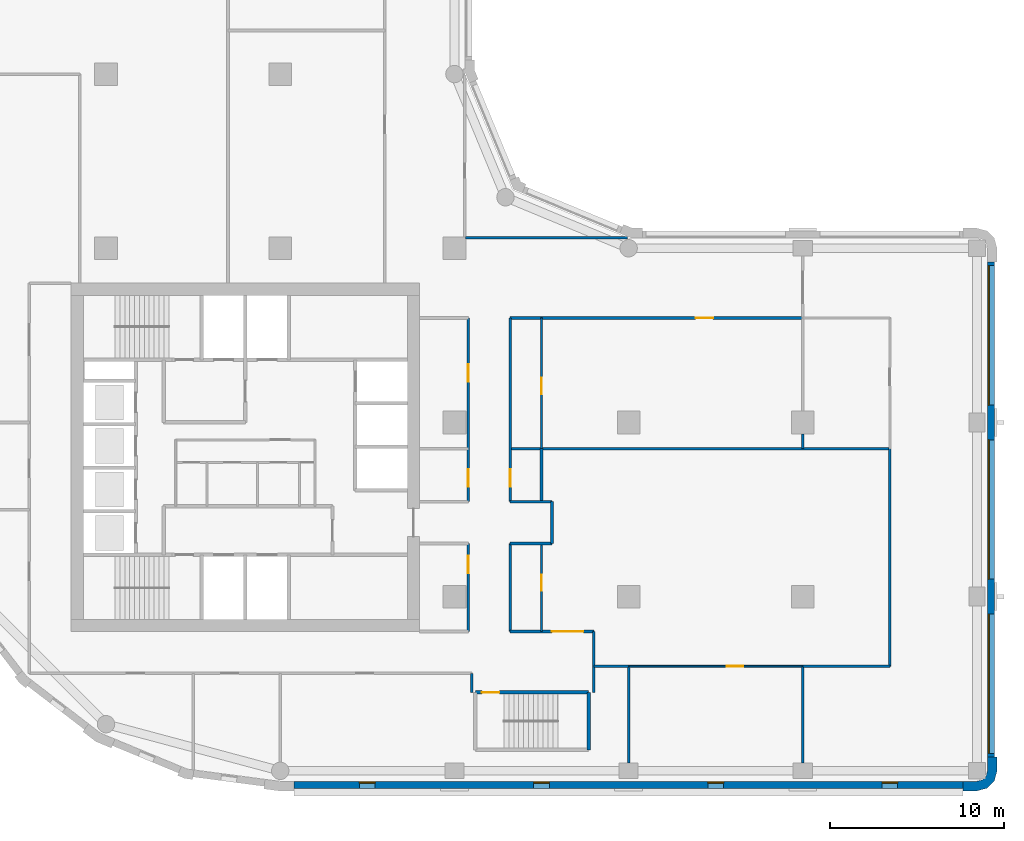
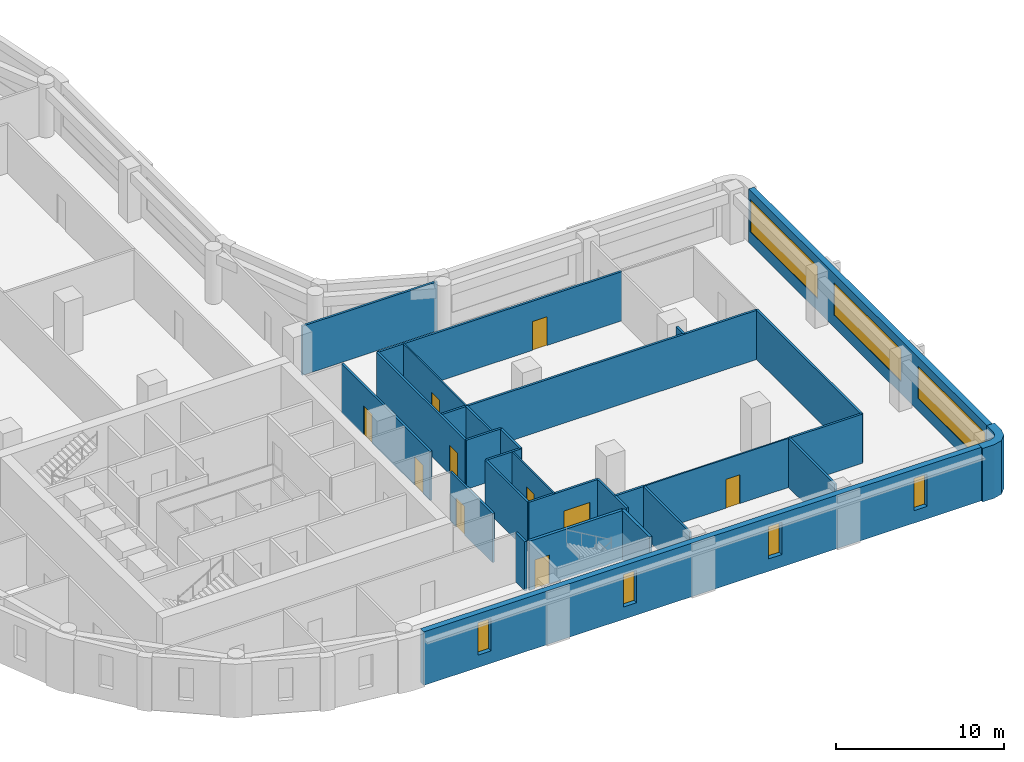
# One storey, part 4 of 9: 28 walls, 10 doors, 7 windows, 17 openings.
"""IFC4 building model written with IfcOpenShell, lengths in metres."""

from ifc_helpers import new_model, si_unit, direction, frame, frame_2d, origin, place, context, subcontext, project, spatial, polyline, rectangle, outline, extrude, material, layer, layer_set, type_object, element, fill, save


model = new_model("IFC4")

# Units and contexts
model_context = context("Model", 3, precision=1e-05, world=origin(), true_north=direction((0.0, 1.0)))
body_context = subcontext(model_context, "Body", "Model", "MODEL_VIEW")
ifc_project = project(units=[si_unit("LENGTHUNIT", "METRE"), si_unit("AREAUNIT", "SQUARE_METRE"), si_unit("VOLUMEUNIT", "CUBIC_METRE"), si_unit("PLANEANGLEUNIT", "RADIAN"), si_unit("MASSUNIT", "GRAM", prefix="KILO")], contexts=[model_context])

# Site, building, storey
site_placement = place(None, origin())
site = spatial("IfcSite", under=ifc_project, at=site_placement, CompositionType="ELEMENT")
building_placement = place(site_placement, origin())
building = spatial("IfcBuilding", under=site, at=building_placement, Name="Qaws Garden Tower", CompositionType="ELEMENT")
storey_placement = place(building_placement, frame((0.0, 0.0, 170.699951171875)))
storey = spatial("IfcBuildingStorey", under=building, at=storey_placement, Name="L41", CompositionType="ELEMENT", Elevation=170.699951171875)

# Wall
ifc_material_1 = material(Name="Clay facing brick masonry", Category="masonry")
ifc_layer_1 = layer(ifc_material_1, 0.550048828125)
ifc_layer_set_1 = layer_set([ifc_layer_1], Name="Clay facing brick masonry")
wall_type_1 = type_object("IfcWallType", Name="Brick corner pier 550 x 2400", PredefinedType="SOLIDWALL", material=ifc_layer_set_1)
wall_1_placement = place(storey_placement, origin())
element("IfcWall", 1, at=wall_1_placement, inside=storey, type_object=wall_type_1, Name="E-L41-pier-04", PredefinedType="SOLIDWALL", context=body_context, shape_type="SweptSolid", body=[
    extrude(outline(polyline([(59.199951171875, -1.0), (59.199951171875, -1.14990234375), (60.0, -1.14990234375), (60.574951171875, -0.995849609375), (60.995849609375, -0.574951171875), (61.14990234375, 0.0), (61.14990234375, 0.800048828125), (61.0, 0.800048828125), (60.60009765625, 0.800048828125), (60.60009765625, 0.0), (60.51953125, -0.300048828125), (60.300048828125, -0.51953125), (60.0, -0.60009765625), (59.199951171875, -0.60009765625), (59.199951171875, -1.0)])), origin(), (0.0, 0.0, 1.0), 3.900146484375),
])

# Wall, openings, windows
ifc_material_2 = material(Name="Clay facing brick masonry", Category="masonry")
ifc_layer_2 = layer(ifc_material_2, 0.39990234375)
ifc_layer_set_2 = layer_set([ifc_layer_2], Name="Clay facing brick masonry")
wall_type_2 = type_object("IfcWallType", Name="Brick infill wall 400", PredefinedType="SOLIDWALL", material=ifc_layer_set_2)
wall_2_placement = place(storey_placement, frame((20.800048828125, -0.800048828125, 0.0), z_axis=(0.0, 0.0, 1.0), x_axis=(1.0, 0.0, 0.0)))
wall_2 = element("IfcWall", 2, at=wall_2_placement, inside=storey, type_object=wall_type_2, Name="E-L41-infill-00", PredefinedType="SOLIDWALL", context=body_context, shape_type="SweptSolid", body=[
    extrude(rectangle(XDim=38.39990234375, YDim=0.39990234375, at=frame_2d((19.199951171875, 0.0))), origin(), (0.0, 0.0, 1.0), 3.900146484375),
])
opening_1_placement = place(wall_2_placement, frame((3.75, 0.0, 0.89990234375)))
opening_1 = element("IfcOpeningElement", 3, at=opening_1_placement, cuts=wall_2, Name="Opening W09", PredefinedType="OPENING", context=body_context, shape_type="SweptSolid", body=[
    extrude(rectangle(XDim=0.89990234375, YDim=2.35009765625, at=frame_2d((0.449951171875, 1.175048828125))), frame((0.0, 0.2099609375, 0.0), z_axis=(0.0, -1.0, 0.0), x_axis=(1.0, 0.0, 0.0)), (0.0, 0.0, 1.0), 0.419921875),
])
opening_2_placement = place(wall_2_placement, frame((13.75, 0.0, 0.89990234375)))
opening_2 = element("IfcOpeningElement", 4, at=opening_2_placement, cuts=wall_2, Name="Opening W09", PredefinedType="OPENING", context=body_context, shape_type="SweptSolid", body=[
    extrude(rectangle(XDim=0.89990234375, YDim=2.35009765625, at=frame_2d((0.449951171875, 1.175048828125))), frame((0.0, 0.2099609375, 0.0), z_axis=(0.0, -1.0, 0.0), x_axis=(1.0, 0.0, 0.0)), (0.0, 0.0, 1.0), 0.419921875),
])
opening_3_placement = place(wall_2_placement, frame((23.75, 0.0, 0.89990234375)))
opening_3 = element("IfcOpeningElement", 5, at=opening_3_placement, cuts=wall_2, Name="Opening W09", PredefinedType="OPENING", context=body_context, shape_type="SweptSolid", body=[
    extrude(rectangle(XDim=0.89990234375, YDim=2.35009765625, at=frame_2d((0.449951171875, 1.175048828125))), frame((0.0, 0.2099609375, 0.0), z_axis=(0.0, -1.0, 0.0), x_axis=(1.0, 0.0, 0.0)), (0.0, 0.0, 1.0), 0.419921875),
])
opening_4_placement = place(wall_2_placement, frame((33.75, 0.0, 0.89990234375)))
opening_4 = element("IfcOpeningElement", 6, at=opening_4_placement, cuts=wall_2, Name="Opening W09", PredefinedType="OPENING", context=body_context, shape_type="SweptSolid", body=[
    extrude(rectangle(XDim=0.89990234375, YDim=2.35009765625, at=frame_2d((0.449951171875, 1.175048828125))), frame((0.0, 0.2099609375, 0.0), z_axis=(0.0, -1.0, 0.0), x_axis=(1.0, 0.0, 0.0)), (0.0, 0.0, 1.0), 0.419921875),
])
ifc_material_3 = material(Name="Aluminium framed window, clear glazing", Category="aluminium")
window_type_1 = type_object("IfcWindowType", Name="Slit window 900 x 2350", PartitioningType="SINGLE_PANEL", PredefinedType="WINDOW", material=ifc_material_3)
window_1_placement = place(opening_1_placement, origin())
window_1 = element("IfcWindow", 7, at=window_1_placement, inside=storey, type_object=window_type_1, Name="E-L41-window-00-0", OverallHeight=2.35009765625, OverallWidth=0.89990234375, PartitioningType="SINGLE_PANEL", PredefinedType="WINDOW", context=body_context, shape_type="SweptSolid", body=[
    extrude(rectangle(XDim=0.89990234375, YDim=2.35009765625, at=frame_2d((0.449951171875, 1.175048828125))), frame((0.0, 0.159912109375, 0.0), z_axis=(0.0, -1.0, 0.0), x_axis=(1.0, 0.0, 0.0)), (0.0, 0.0, 1.0), 0.06005859375),
])
fill(opening_1, window_1)
window_2_placement = place(opening_2_placement, origin())
window_2 = element("IfcWindow", 8, at=window_2_placement, inside=storey, type_object=window_type_1, Name="E-L41-window-01-0", OverallHeight=2.35009765625, OverallWidth=0.89990234375, PartitioningType="SINGLE_PANEL", PredefinedType="WINDOW", context=body_context, shape_type="SweptSolid", body=[
    extrude(rectangle(XDim=0.89990234375, YDim=2.35009765625, at=frame_2d((0.449951171875, 1.175048828125))), frame((0.0, 0.159912109375, 0.0), z_axis=(0.0, -1.0, 0.0), x_axis=(1.0, 0.0, 0.0)), (0.0, 0.0, 1.0), 0.06005859375),
])
fill(opening_2, window_2)
window_3_placement = place(opening_3_placement, origin())
window_3 = element("IfcWindow", 9, at=window_3_placement, inside=storey, type_object=window_type_1, Name="E-L41-window-02-0", OverallHeight=2.35009765625, OverallWidth=0.89990234375, PartitioningType="SINGLE_PANEL", PredefinedType="WINDOW", context=body_context, shape_type="SweptSolid", body=[
    extrude(rectangle(XDim=0.89990234375, YDim=2.35009765625, at=frame_2d((0.449951171875, 1.175048828125))), frame((0.0, 0.159912109375, 0.0), z_axis=(0.0, -1.0, 0.0), x_axis=(1.0, 0.0, 0.0)), (0.0, 0.0, 1.0), 0.06005859375),
])
fill(opening_3, window_3)
window_4_placement = place(opening_4_placement, origin())
window_4 = element("IfcWindow", 10, at=window_4_placement, inside=storey, type_object=window_type_1, Name="E-L41-window-03-0", OverallHeight=2.35009765625, OverallWidth=0.89990234375, PartitioningType="SINGLE_PANEL", PredefinedType="WINDOW", context=body_context, shape_type="SweptSolid", body=[
    extrude(rectangle(XDim=0.89990234375, YDim=2.35009765625, at=frame_2d((0.449951171875, 1.175048828125))), frame((0.0, 0.159912109375, 0.0), z_axis=(0.0, -1.0, 0.0), x_axis=(1.0, 0.0, 0.0)), (0.0, 0.0, 1.0), 0.06005859375),
])
fill(opening_4, window_4)

wall_3_placement = place(storey_placement, frame((60.800048828125, 0.800048828125, 0.0), z_axis=(0.0, 0.0, 1.0), x_axis=(0.0, 1.0, 0.0)))
wall_3 = element("IfcWall", 11, at=wall_3_placement, inside=storey, type_object=wall_type_2, Name="E-L41-infill-04", PredefinedType="SOLIDWALL", context=body_context, shape_type="SweptSolid", body=[
    extrude(rectangle(XDim=28.39990234375, YDim=0.39990234375, at=frame_2d((14.199951171875, 0.0))), origin(), (0.0, 0.0, 1.0), 3.900146484375),
])
opening_5_placement = place(wall_3_placement, frame((0.199951171875, 0.0, 0.89990234375)))
opening_5 = element("IfcOpeningElement", 12, at=opening_5_placement, cuts=wall_3, Name="Opening W01", PredefinedType="OPENING", context=body_context, shape_type="SweptSolid", body=[
    extrude(rectangle(XDim=8.0, YDim=2.35009765625, at=frame_2d((4.0, 1.175048828125))), frame((0.0, 0.2099609375, 0.0), z_axis=(0.0, -1.0, 0.0), x_axis=(1.0, 0.0, 0.0)), (0.0, 0.0, 1.0), 0.419921875),
])
opening_6_placement = place(wall_3_placement, frame((10.199951171875, 0.0, 0.89990234375)))
opening_6 = element("IfcOpeningElement", 13, at=opening_6_placement, cuts=wall_3, Name="Opening W01", PredefinedType="OPENING", context=body_context, shape_type="SweptSolid", body=[
    extrude(rectangle(XDim=8.0, YDim=2.35009765625, at=frame_2d((4.0, 1.175048828125))), frame((0.0, 0.2099609375, 0.0), z_axis=(0.0, -1.0, 0.0), x_axis=(1.0, 0.0, 0.0)), (0.0, 0.0, 1.0), 0.419921875),
])
opening_7_placement = place(wall_3_placement, frame((20.199951171875, 0.0, 0.89990234375)))
opening_7 = element("IfcOpeningElement", 14, at=opening_7_placement, cuts=wall_3, Name="Opening W01", PredefinedType="OPENING", context=body_context, shape_type="SweptSolid", body=[
    extrude(rectangle(XDim=8.0, YDim=2.35009765625, at=frame_2d((4.0, 1.175048828125))), frame((0.0, 0.2099609375, 0.0), z_axis=(0.0, -1.0, 0.0), x_axis=(1.0, 0.0, 0.0)), (0.0, 0.0, 1.0), 0.419921875),
])
ifc_material_4 = material(Name="Aluminium framed window, clear glazing", Category="aluminium")
window_type_2 = type_object("IfcWindowType", Name="Ribbon window 8000 x 2350", PartitioningType="DOUBLE_PANEL_VERTICAL", PredefinedType="WINDOW", material=ifc_material_4)
window_5_placement = place(opening_5_placement, origin())
window_5 = element("IfcWindow", 15, at=window_5_placement, inside=storey, type_object=window_type_2, Name="E-L41-window-04-0", OverallHeight=2.35009765625, OverallWidth=8.0, PartitioningType="SINGLE_PANEL", PredefinedType="WINDOW", context=body_context, shape_type="SweptSolid", body=[
    extrude(rectangle(XDim=8.0, YDim=2.35009765625, at=frame_2d((4.0, 1.175048828125))), frame((0.0, 0.159912109375, 0.0), z_axis=(0.0, -1.0, 0.0), x_axis=(1.0, 0.0, 0.0)), (0.0, 0.0, 1.0), 0.06005859375),
])
fill(opening_5, window_5)
window_6_placement = place(opening_6_placement, origin())
window_6 = element("IfcWindow", 16, at=window_6_placement, inside=storey, type_object=window_type_2, Name="E-L41-window-05-0", OverallHeight=2.35009765625, OverallWidth=8.0, PartitioningType="SINGLE_PANEL", PredefinedType="WINDOW", context=body_context, shape_type="SweptSolid", body=[
    extrude(rectangle(XDim=8.0, YDim=2.35009765625, at=frame_2d((4.0, 1.175048828125))), frame((0.0, 0.159912109375, 0.0), z_axis=(0.0, -1.0, 0.0), x_axis=(1.0, 0.0, 0.0)), (0.0, 0.0, 1.0), 0.06005859375),
])
fill(opening_6, window_6)
window_7_placement = place(opening_7_placement, origin())
window_7 = element("IfcWindow", 17, at=window_7_placement, inside=storey, type_object=window_type_2, Name="E-L41-window-06-0", OverallHeight=2.35009765625, OverallWidth=8.0, PartitioningType="SINGLE_PANEL", PredefinedType="WINDOW", context=body_context, shape_type="SweptSolid", body=[
    extrude(rectangle(XDim=8.0, YDim=2.35009765625, at=frame_2d((4.0, 1.175048828125))), frame((0.0, 0.159912109375, 0.0), z_axis=(0.0, -1.0, 0.0), x_axis=(1.0, 0.0, 0.0)), (0.0, 0.0, 1.0), 0.06005859375),
])
fill(opening_7, window_7)

# Wall, opening, door
ifc_material_5 = material(Name="Concrete C70", Category="concrete")
ifc_layer_3 = layer(ifc_material_5, 0.199951171875)
ifc_layer_set_3 = layer_set([ifc_layer_3], Name="Concrete C70")
wall_type_3 = type_object("IfcWallType", Name="Core shaft wall 200 C70", PredefinedType="SHEAR", material=ifc_layer_set_3)
wall_4_placement = place(storey_placement, frame((31.199951171875, 4.5, 0.0), z_axis=(0.0, 0.0, 1.0), x_axis=(1.0, 0.0, 0.0)))
wall_4 = element("IfcWall", 18, at=wall_4_placement, inside=storey, type_object=wall_type_3, Name="Shaft wall", PredefinedType="SHEAR", context=body_context, shape_type="SweptSolid", body=[
    extrude(rectangle(XDim=6.5, YDim=0.199951171875, at=frame_2d((3.25, 0.0))), origin(), (0.0, 0.0, 1.0), 3.580078125),
])
opening_8_placement = place(wall_4_placement, frame((0.375, 0.0, 0.0)))
opening_8 = element("IfcOpeningElement", 19, at=opening_8_placement, cuts=wall_4, Name="Opening SD12", PredefinedType="OPENING", context=body_context, shape_type="SweptSolid", body=[
    extrude(rectangle(XDim=1.0, YDim=2.10009765625, at=frame_2d((0.5, 1.050048828125))), frame((0.0, 0.10986328125, 0.0), z_axis=(0.0, -1.0, 0.0), x_axis=(1.0, 0.0, 0.0)), (0.0, 0.0, 1.0), 0.219970703125),
])
ifc_material_6 = material(Name="Steel S235", Category="steel")
door_type_1 = type_object("IfcDoorType", Name="Stair door 1000x2100", OperationType="SINGLE_SWING_RIGHT", PredefinedType="DOOR", material=ifc_material_6)
door_1_placement = place(opening_8_placement, frame((1.0, 0.0, 0.0), z_axis=(0.0, 0.0, 1.0), x_axis=(-1.0, 0.0, 0.0)))
door_1 = element("IfcDoor", 20, at=door_1_placement, inside=storey, type_object=door_type_1, Name="Stair 5 door", OperationType="SINGLE_SWING_RIGHT", OverallHeight=2.10009765625, OverallWidth=1.0, PredefinedType="DOOR", context=body_context, shape_type="SweptSolid", body=[
    extrude(rectangle(XDim=1.0, YDim=2.10009765625, at=frame_2d((0.5, 1.050048828125))), frame((0.0, 0.02490234375, 0.0), z_axis=(0.0, -1.0, 0.0), x_axis=(1.0, 0.0, 0.0)), (0.0, 0.0, 1.0), 0.050048828125),
])
fill(opening_8, door_1)

# Wall
wall_5_placement = place(storey_placement, frame((37.699951171875, 1.199951171875, 0.0), z_axis=(0.0, 0.0, 1.0), x_axis=(0.0, 1.0, 0.0)))
element("IfcWall", 21, at=wall_5_placement, inside=storey, type_object=wall_type_3, Name="Shaft wall", PredefinedType="SHEAR", context=body_context, shape_type="SweptSolid", body=[
    extrude(rectangle(XDim=3.300048828125, YDim=0.199951171875, at=frame_2d((1.64990234375, 0.0))), origin(), (0.0, 0.0, 1.0), 3.580078125),
])

# Wall, opening, door
ifc_material_7 = material(Name="Gypsum board partition")
ifc_layer_4 = layer(ifc_material_7, 0.10009765625)
ifc_layer_set_4 = layer_set([ifc_layer_4], Name="Gypsum board partition")
wall_type_4 = type_object("IfcWallType", Name="PARTITION 100", PredefinedType="PARTITIONING", material=ifc_layer_set_4)
wall_6_placement = place(storey_placement, frame((35.0, 8.0, 0.0), z_axis=(0.0, 0.0, 1.0), x_axis=(0.0, 1.0, 0.0)))
wall_6 = element("IfcWall", 22, at=wall_6_placement, inside=storey, type_object=wall_type_4, Name="O-L41-wall-001", PredefinedType="PARTITIONING", context=body_context, shape_type="SweptSolid", body=[
    extrude(rectangle(XDim=5.050048828125, YDim=0.10009765625, at=frame_2d((2.52490234375, 0.0))), origin(), (0.0, 0.0, 1.0), 3.580078125),
])
opening_9_placement = place(wall_6_placement, frame((2.35009765625, 0.0, 0.0)))
opening_9 = element("IfcOpeningElement", 23, at=opening_9_placement, cuts=wall_6, Name="Opening B419", PredefinedType="OPENING", context=body_context, shape_type="SweptSolid", body=[
    extrude(rectangle(XDim=0.89990234375, YDim=2.10009765625, at=frame_2d((0.449951171875, 1.050048828125))), frame((0.0, 0.06005859375, 0.0), z_axis=(0.0, -1.0, 0.0), x_axis=(1.0, 0.0, 0.0)), (0.0, 0.0, 1.0), 0.1201171875),
])
ifc_material_8 = material(Name="Timber door leaf", Category="wood")
door_type_2 = type_object("IfcDoorType", Name="OFFICE DOOR 900 X 2100", OperationType="SINGLE_SWING_LEFT", PredefinedType="DOOR", material=ifc_material_8)
door_2_placement = place(opening_9_placement, origin())
door_2 = element("IfcDoor", 24, at=door_2_placement, inside=storey, type_object=door_type_2, Name="O-L41-door-019", OperationType="SINGLE_SWING_RIGHT", OverallHeight=2.10009765625, OverallWidth=0.89990234375, PredefinedType="DOOR", context=body_context, shape_type="SweptSolid", body=[
    extrude(rectangle(XDim=0.89990234375, YDim=2.10009765625, at=frame_2d((0.449951171875, 1.050048828125))), frame((0.0, 0.02490234375, 0.0), z_axis=(0.0, -1.0, 0.0), x_axis=(1.0, 0.0, 0.0)), (0.0, 0.0, 1.0), 0.050048828125),
])
fill(opening_9, door_2)

wall_7_placement = place(storey_placement, frame((35.0, 18.5, 0.0), z_axis=(0.0, 0.0, 1.0), x_axis=(0.0, 1.0, 0.0)))
wall_7 = element("IfcWall", 25, at=wall_7_placement, inside=storey, type_object=wall_type_4, Name="O-L41-wall-002", PredefinedType="PARTITIONING", context=body_context, shape_type="SweptSolid", body=[
    extrude(rectangle(XDim=7.5, YDim=0.10009765625, at=frame_2d((3.75, 0.0))), origin(), (0.0, 0.0, 1.0), 3.580078125),
])
opening_10_placement = place(wall_7_placement, frame((3.125, 0.0, 0.0)))
opening_10 = element("IfcOpeningElement", 26, at=opening_10_placement, cuts=wall_7, Name="Opening B421", PredefinedType="OPENING", context=body_context, shape_type="SweptSolid", body=[
    extrude(rectangle(XDim=0.949951171875, YDim=2.10009765625, at=frame_2d((0.47509765625, 1.050048828125))), frame((0.0, 0.06005859375, 0.0), z_axis=(0.0, -1.0, 0.0), x_axis=(1.0, 0.0, 0.0)), (0.0, 0.0, 1.0), 0.1201171875),
])
ifc_material_9 = material(Name="Timber and glass door leaf", Category="wood")
door_type_3 = type_object("IfcDoorType", Name="GLAZED DOOR 950 X 2100", OperationType="SINGLE_SWING_LEFT", PredefinedType="DOOR", material=ifc_material_9)
door_3_placement = place(opening_10_placement, origin())
door_3 = element("IfcDoor", 27, at=door_3_placement, inside=storey, type_object=door_type_3, Name="O-L41-door-021", OperationType="SINGLE_SWING_RIGHT", OverallHeight=2.10009765625, OverallWidth=0.949951171875, PredefinedType="DOOR", context=body_context, shape_type="SweptSolid", body=[
    extrude(rectangle(XDim=0.949951171875, YDim=2.10009765625, at=frame_2d((0.47509765625, 1.050048828125))), frame((0.0, 0.02490234375, 0.0), z_axis=(0.0, -1.0, 0.0), x_axis=(1.0, 0.0, 0.0)), (0.0, 0.0, 1.0), 0.050048828125),
])
fill(opening_10, door_3)

wall_8_placement = place(storey_placement, frame((40.0, 6.0, 0.0), z_axis=(0.0, 0.0, 1.0), x_axis=(1.0, 0.0, 0.0)))
wall_8 = element("IfcWall", 28, at=wall_8_placement, inside=storey, type_object=wall_type_4, Name="O-L41-wall-004", PredefinedType="PARTITIONING", context=body_context, shape_type="SweptSolid", body=[
    extrude(rectangle(XDim=10.0, YDim=0.10009765625, at=frame_2d((5.0, 0.0))), origin(), (0.0, 0.0, 1.0), 3.580078125),
])
opening_11_placement = place(wall_8_placement, frame((5.625, 0.0, 0.0)))
opening_11 = element("IfcOpeningElement", 29, at=opening_11_placement, cuts=wall_8, Name="Opening B420", PredefinedType="OPENING", context=body_context, shape_type="SweptSolid", body=[
    extrude(rectangle(XDim=0.949951171875, YDim=2.10009765625, at=frame_2d((0.47509765625, 1.050048828125))), frame((0.0, 0.06005859375, 0.0), z_axis=(0.0, -1.0, 0.0), x_axis=(1.0, 0.0, 0.0)), (0.0, 0.0, 1.0), 0.1201171875),
])
door_4_placement = place(opening_11_placement, frame((0.949951171875, 0.0, 0.0), z_axis=(0.0, 0.0, 1.0), x_axis=(-1.0, 0.0, 0.0)))
door_4 = element("IfcDoor", 30, at=door_4_placement, inside=storey, type_object=door_type_3, Name="O-L41-door-020", OperationType="SINGLE_SWING_RIGHT", OverallHeight=2.10009765625, OverallWidth=0.949951171875, PredefinedType="DOOR", context=body_context, shape_type="SweptSolid", body=[
    extrude(rectangle(XDim=0.949951171875, YDim=2.10009765625, at=frame_2d((0.47509765625, 1.050048828125))), frame((0.0, 0.02490234375, 0.0), z_axis=(0.0, -1.0, 0.0), x_axis=(1.0, 0.0, 0.0)), (0.0, 0.0, 1.0), 0.050048828125),
])
fill(opening_11, door_4)

ifc_material_10 = material(Name="Gypsum board partition")
ifc_layer_5 = layer(ifc_material_10, 0.14990234375)
ifc_layer_set_5 = layer_set([ifc_layer_5], Name="Gypsum board partition")
wall_type_5 = type_object("IfcWallType", Name="PARTITION 150 EI 60", PredefinedType="PARTITIONING", material=ifc_layer_set_5)
wall_9_placement = place(storey_placement, frame((30.800048828125, 8.0, 0.0), z_axis=(0.0, 0.0, 1.0), x_axis=(0.0, 1.0, 0.0)))
wall_9 = element("IfcWall", 31, at=wall_9_placement, inside=storey, type_object=wall_type_5, Name="O-L41-wall-016", PredefinedType="PARTITIONING", context=body_context, shape_type="SweptSolid", body=[
    extrude(rectangle(XDim=5.050048828125, YDim=0.14990234375, at=frame_2d((2.52490234375, 0.0))), origin(), (0.0, 0.0, 1.0), 3.580078125),
])
opening_12_placement = place(wall_9_placement, frame((3.35009765625, 0.0, 0.0)))
opening_12 = element("IfcOpeningElement", 32, at=opening_12_placement, cuts=wall_9, Name="Opening B418", PredefinedType="OPENING", context=body_context, shape_type="SweptSolid", body=[
    extrude(rectangle(XDim=1.0, YDim=2.10009765625, at=frame_2d((0.5, 1.050048828125))), frame((0.0, 0.0849609375, 0.0), z_axis=(0.0, -1.0, 0.0), x_axis=(1.0, 0.0, 0.0)), (0.0, 0.0, 1.0), 0.169921875),
])
ifc_material_11 = material(Name="Timber door leaf", Category="wood")
door_type_4 = type_object("IfcDoorType", Name="TENANCY ENTRANCE DOOR 1000 X 2100", OperationType="SINGLE_SWING_LEFT", PredefinedType="DOOR", material=ifc_material_11)
door_5_placement = place(opening_12_placement, origin())
door_5 = element("IfcDoor", 33, at=door_5_placement, inside=storey, type_object=door_type_4, Name="O-L41-door-018", OperationType="SINGLE_SWING_RIGHT", OverallHeight=2.10009765625, OverallWidth=1.0, PredefinedType="DOOR", context=body_context, shape_type="SweptSolid", body=[
    extrude(rectangle(XDim=1.0, YDim=2.10009765625, at=frame_2d((0.5, 1.050048828125))), frame((0.0, 0.02490234375, 0.0), z_axis=(0.0, -1.0, 0.0), x_axis=(1.0, 0.0, 0.0)), (0.0, 0.0, 1.0), 0.050048828125),
])
fill(opening_12, door_5)

# Wall, openings, doors
wall_10_placement = place(storey_placement, frame((30.800048828125, 15.449951171875, 0.0), z_axis=(0.0, 0.0, 1.0), x_axis=(0.0, 1.0, 0.0)))
wall_10 = element("IfcWall", 34, at=wall_10_placement, inside=storey, type_object=wall_type_5, Name="O-L41-wall-017", PredefinedType="PARTITIONING", context=body_context, shape_type="SweptSolid", body=[
    extrude(rectangle(XDim=10.550048828125, YDim=0.14990234375, at=frame_2d((5.27490234375, 0.0))), origin(), (0.0, 0.0, 1.0), 3.580078125),
])
opening_13_placement = place(wall_10_placement, frame((0.85009765625, 0.0, 0.0)))
opening_13 = element("IfcOpeningElement", 35, at=opening_13_placement, cuts=wall_10, Name="Opening B404", PredefinedType="OPENING", context=body_context, shape_type="SweptSolid", body=[
    extrude(rectangle(XDim=1.0, YDim=2.10009765625, at=frame_2d((0.5, 1.050048828125))), frame((0.0, 0.0849609375, 0.0), z_axis=(0.0, -1.0, 0.0), x_axis=(1.0, 0.0, 0.0)), (0.0, 0.0, 1.0), 0.169921875),
])
opening_14_placement = place(wall_10_placement, frame((6.89990234375, 0.0, 0.0)))
opening_14 = element("IfcOpeningElement", 36, at=opening_14_placement, cuts=wall_10, Name="Opening B416", PredefinedType="OPENING", context=body_context, shape_type="SweptSolid", body=[
    extrude(rectangle(XDim=1.0, YDim=2.10009765625, at=frame_2d((0.5, 1.050048828125))), frame((0.0, 0.0849609375, 0.0), z_axis=(0.0, -1.0, 0.0), x_axis=(1.0, 0.0, 0.0)), (0.0, 0.0, 1.0), 0.169921875),
])
door_6_placement = place(opening_13_placement, origin())
door_6 = element("IfcDoor", 37, at=door_6_placement, inside=storey, type_object=door_type_4, Name="O-L41-door-004", OperationType="SINGLE_SWING_LEFT", OverallHeight=2.10009765625, OverallWidth=1.0, PredefinedType="DOOR", context=body_context, shape_type="SweptSolid", body=[
    extrude(rectangle(XDim=1.0, YDim=2.10009765625, at=frame_2d((0.5, 1.050048828125))), frame((0.0, 0.02490234375, 0.0), z_axis=(0.0, -1.0, 0.0), x_axis=(1.0, 0.0, 0.0)), (0.0, 0.0, 1.0), 0.050048828125),
])
fill(opening_13, door_6)
door_7_placement = place(opening_14_placement, origin())
door_7 = element("IfcDoor", 38, at=door_7_placement, inside=storey, type_object=door_type_4, Name="O-L41-door-016", OperationType="SINGLE_SWING_RIGHT", OverallHeight=2.10009765625, OverallWidth=1.0, PredefinedType="DOOR", context=body_context, shape_type="SweptSolid", body=[
    extrude(rectangle(XDim=1.0, YDim=2.10009765625, at=frame_2d((0.5, 1.050048828125))), frame((0.0, 0.02490234375, 0.0), z_axis=(0.0, -1.0, 0.0), x_axis=(1.0, 0.0, 0.0)), (0.0, 0.0, 1.0), 0.050048828125),
])
fill(opening_14, door_7)

# Walls
wall_11_placement = place(storey_placement, frame((31.0, 4.5, 0.0), z_axis=(0.0, 0.0, 1.0), x_axis=(0.0, 1.0, 0.0)))
element("IfcWall", 39, at=wall_11_placement, inside=storey, type_object=wall_type_5, Name="O-L41-wall-018", PredefinedType="PARTITIONING", context=body_context, shape_type="SweptSolid", body=[
    extrude(rectangle(XDim=1.10009765625, YDim=0.14990234375, at=frame_2d((0.550048828125, 0.0))), origin(), (0.0, 0.0, 1.0), 3.580078125),
])
wall_12_placement = place(storey_placement, frame((33.199951171875, 8.0, 0.0), z_axis=(0.0, 0.0, 1.0), x_axis=(0.0, 1.0, 0.0)))
element("IfcWall", 40, at=wall_12_placement, inside=storey, type_object=wall_type_5, Name="O-L41-wall-019", PredefinedType="PARTITIONING", context=body_context, shape_type="SweptSolid", body=[
    extrude(rectangle(XDim=5.050048828125, YDim=0.14990234375, at=frame_2d((2.52490234375, 0.0))), origin(), (0.0, 0.0, 1.0), 3.580078125),
])

# Wall, opening, door
wall_13_placement = place(storey_placement, frame((33.199951171875, 15.449951171875, 0.0), z_axis=(0.0, 0.0, 1.0), x_axis=(0.0, 1.0, 0.0)))
wall_13 = element("IfcWall", 41, at=wall_13_placement, inside=storey, type_object=wall_type_5, Name="O-L41-wall-020", PredefinedType="PARTITIONING", context=body_context, shape_type="SweptSolid", body=[
    extrude(rectangle(XDim=10.550048828125, YDim=0.14990234375, at=frame_2d((5.27490234375, 0.0))), origin(), (0.0, 0.0, 1.0), 3.580078125),
])
opening_15_placement = place(wall_13_placement, frame((0.85009765625, 0.0, 0.0)))
opening_15 = element("IfcOpeningElement", 42, at=opening_15_placement, cuts=wall_13, Name="Opening B403", PredefinedType="OPENING", context=body_context, shape_type="SweptSolid", body=[
    extrude(rectangle(XDim=1.0, YDim=2.10009765625, at=frame_2d((0.5, 1.050048828125))), frame((0.0, 0.0849609375, 0.0), z_axis=(0.0, -1.0, 0.0), x_axis=(1.0, 0.0, 0.0)), (0.0, 0.0, 1.0), 0.169921875),
])
door_8_placement = place(opening_15_placement, frame((1.0, 0.0, 0.0), z_axis=(0.0, 0.0, 1.0), x_axis=(-1.0, 0.0, 0.0)))
door_8 = element("IfcDoor", 43, at=door_8_placement, inside=storey, type_object=door_type_4, Name="O-L41-door-003", OperationType="SINGLE_SWING_RIGHT", OverallHeight=2.10009765625, OverallWidth=1.0, PredefinedType="DOOR", context=body_context, shape_type="SweptSolid", body=[
    extrude(rectangle(XDim=1.0, YDim=2.10009765625, at=frame_2d((0.5, 1.050048828125))), frame((0.0, 0.02490234375, 0.0), z_axis=(0.0, -1.0, 0.0), x_axis=(1.0, 0.0, 0.0)), (0.0, 0.0, 1.0), 0.050048828125),
])
fill(opening_15, door_8)

# Walls
wall_14_placement = place(storey_placement, frame((35.0, 15.449951171875, 0.0), z_axis=(0.0, 0.0, 1.0), x_axis=(0.0, 1.0, 0.0)))
element("IfcWall", 44, at=wall_14_placement, inside=storey, type_object=wall_type_5, Name="O-L41-wall-021", PredefinedType="PARTITIONING", context=body_context, shape_type="SweptSolid", body=[
    extrude(rectangle(XDim=3.050048828125, YDim=0.14990234375, at=frame_2d((1.52490234375, 0.0))), origin(), (0.0, 0.0, 1.0), 3.580078125),
])
wall_15_placement = place(storey_placement, frame((35.60009765625, 13.050048828125, 0.0), z_axis=(0.0, 0.0, 1.0), x_axis=(0.0, 1.0, 0.0)))
element("IfcWall", 45, at=wall_15_placement, inside=storey, type_object=wall_type_5, Name="O-L41-wall-022", PredefinedType="PARTITIONING", context=body_context, shape_type="SweptSolid", body=[
    extrude(rectangle(XDim=2.39990234375, YDim=0.14990234375, at=frame_2d((1.199951171875, 0.0))), origin(), (0.0, 0.0, 1.0), 3.580078125),
])
wall_16_placement = place(storey_placement, frame((38.0, 4.5, 0.0), z_axis=(0.0, 0.0, 1.0), x_axis=(0.0, 1.0, 0.0)))
element("IfcWall", 46, at=wall_16_placement, inside=storey, type_object=wall_type_5, Name="O-L41-wall-023", PredefinedType="PARTITIONING", context=body_context, shape_type="SweptSolid", body=[
    extrude(rectangle(XDim=3.5, YDim=0.14990234375, at=frame_2d((1.75, 0.0))), origin(), (0.0, 0.0, 1.0), 3.580078125),
])
for number, where, z_axis, x_axis, name in (
    (47, (40.0, 0.449951171875, 0.0), (0.0, 0.0, 1.0), (0.0, 1.0, 0.0), "O-L41-wall-024"),
    (48, (50.0, 0.449951171875, 0.0), (0.0, 0.0, 1.0), (0.0, 1.0, 0.0), "O-L41-wall-025"),
):
    element("IfcWall", number, at=place(storey_placement, frame(where, z_axis=z_axis, x_axis=x_axis)), inside=storey, type_object=wall_type_5, Name=name, PredefinedType="PARTITIONING", context=body_context, shape_type="SweptSolid", body=[
        extrude(rectangle(XDim=5.550048828125, YDim=0.14990234375, at=frame_2d((2.77490234375, 0.0))), origin(), (0.0, 0.0, 1.0), 3.580078125),
    ])
wall_17_placement = place(storey_placement, frame((50.0, 18.5, 0.0), z_axis=(0.0, 0.0, 1.0), x_axis=(0.0, 1.0, 0.0)))
element("IfcWall", 49, at=wall_17_placement, inside=storey, type_object=wall_type_5, Name="O-L41-wall-026", PredefinedType="PARTITIONING", context=body_context, shape_type="SweptSolid", body=[
    extrude(rectangle(XDim=0.85009765625, YDim=0.14990234375, at=frame_2d((0.425048828125, 0.0))), origin(), (0.0, 0.0, 1.0), 3.580078125),
])
wall_18_placement = place(storey_placement, frame((55.0, 6.0, 0.0), z_axis=(0.0, 0.0, 1.0), x_axis=(0.0, 1.0, 0.0)))
element("IfcWall", 50, at=wall_18_placement, inside=storey, type_object=wall_type_5, Name="O-L41-wall-028", PredefinedType="PARTITIONING", context=body_context, shape_type="SweptSolid", body=[
    extrude(rectangle(XDim=12.5, YDim=0.14990234375, at=frame_2d((6.25, 0.0))), origin(), (0.0, 0.0, 1.0), 3.580078125),
])
wall_19_placement = place(storey_placement, frame((38.0, 6.0, 0.0), z_axis=(0.0, 0.0, 1.0), x_axis=(1.0, 0.0, 0.0)))
element("IfcWall", 51, at=wall_19_placement, inside=storey, type_object=wall_type_5, Name="O-L41-wall-030", PredefinedType="PARTITIONING", context=body_context, shape_type="SweptSolid", body=[
    extrude(rectangle(XDim=2.0, YDim=0.14990234375, at=frame_2d((1.0, 0.0))), origin(), (0.0, 0.0, 1.0), 3.580078125),
])
wall_20_placement = place(storey_placement, frame((50.0, 6.0, 0.0), z_axis=(0.0, 0.0, 1.0), x_axis=(1.0, 0.0, 0.0)))
element("IfcWall", 52, at=wall_20_placement, inside=storey, type_object=wall_type_5, Name="O-L41-wall-031", PredefinedType="PARTITIONING", context=body_context, shape_type="SweptSolid", body=[
    extrude(rectangle(XDim=5.0, YDim=0.14990234375, at=frame_2d((2.5, 0.0))), origin(), (0.0, 0.0, 1.0), 3.580078125),
])

# Wall, opening, door
wall_21_placement = place(storey_placement, frame((33.199951171875, 8.0, 0.0), z_axis=(0.0, 0.0, 1.0), x_axis=(1.0, 0.0, 0.0)))
wall_21 = element("IfcWall", 53, at=wall_21_placement, inside=storey, type_object=wall_type_5, Name="O-L41-wall-033", PredefinedType="PARTITIONING", context=body_context, shape_type="SweptSolid", body=[
    extrude(rectangle(XDim=4.800048828125, YDim=0.14990234375, at=frame_2d((2.39990234375, 0.0))), origin(), (0.0, 0.0, 1.0), 3.580078125),
])
opening_16_placement = place(wall_21_placement, frame((2.39990234375, 0.0, 0.0)))
opening_16 = element("IfcOpeningElement", 54, at=opening_16_placement, cuts=wall_21, Name="Opening B405", PredefinedType="OPENING", context=body_context, shape_type="SweptSolid", body=[
    extrude(rectangle(XDim=1.800048828125, YDim=2.10009765625, at=frame_2d((0.89990234375, 1.050048828125))), frame((0.0, 0.0849609375, 0.0), z_axis=(0.0, -1.0, 0.0), x_axis=(1.0, 0.0, 0.0)), (0.0, 0.0, 1.0), 0.169921875),
])
ifc_material_12 = material(Name="Timber door leaf", Category="wood")
door_type_5 = type_object("IfcDoorType", Name="DOUBLE DOOR 1800 X 2100", OperationType="DOUBLE_DOOR_SINGLE_SWING", PredefinedType="DOOR", material=ifc_material_12)
door_9_placement = place(opening_16_placement, origin())
door_9 = element("IfcDoor", 55, at=door_9_placement, inside=storey, type_object=door_type_5, Name="O-L41-door-005", OperationType="DOUBLE_DOOR_SINGLE_SWING", OverallHeight=2.10009765625, OverallWidth=1.800048828125, PredefinedType="DOOR", context=body_context, shape_type="SweptSolid", body=[
    extrude(rectangle(XDim=1.800048828125, YDim=2.10009765625, at=frame_2d((0.89990234375, 1.050048828125))), frame((0.0, 0.02490234375, 0.0), z_axis=(0.0, -1.0, 0.0), x_axis=(1.0, 0.0, 0.0)), (0.0, 0.0, 1.0), 0.050048828125),
])
fill(opening_16, door_9)

# Walls
for number, where, z_axis, x_axis, name in (
    (56, (33.199951171875, 13.050048828125, 0.0), (0.0, 0.0, 1.0), (1.0, 0.0, 0.0), "O-L41-wall-035"),
    (57, (33.199951171875, 15.449951171875, 0.0), (0.0, 0.0, 1.0), (1.0, 0.0, 0.0), "O-L41-wall-038"),
):
    element("IfcWall", number, at=place(storey_placement, frame(where, z_axis=z_axis, x_axis=x_axis)), inside=storey, type_object=wall_type_5, Name=name, PredefinedType="PARTITIONING", context=body_context, shape_type="SweptSolid", body=[
        extrude(rectangle(XDim=2.400146484375, YDim=0.14990234375, at=frame_2d((1.2001953125, 0.0))), origin(), (0.0, 0.0, 1.0), 3.580078125),
    ])
wall_22_placement = place(storey_placement, frame((33.199951171875, 18.5, 0.0), z_axis=(0.0, 0.0, 1.0), x_axis=(1.0, 0.0, 0.0)))
element("IfcWall", 58, at=wall_22_placement, inside=storey, type_object=wall_type_5, Name="O-L41-wall-040", PredefinedType="PARTITIONING", context=body_context, shape_type="SweptSolid", body=[
    extrude(rectangle(XDim=21.800048828125, YDim=0.14990234375, at=frame_2d((10.89990234375, 0.0))), origin(), (0.0, 0.0, 1.0), 3.580078125),
])

# Wall, opening, door
wall_23_placement = place(storey_placement, frame((33.199951171875, 26.0, 0.0), z_axis=(0.0, 0.0, 1.0), x_axis=(1.0, 0.0, 0.0)))
wall_23 = element("IfcWall", 59, at=wall_23_placement, inside=storey, type_object=wall_type_5, Name="O-L41-wall-043", PredefinedType="PARTITIONING", context=body_context, shape_type="SweptSolid", body=[
    extrude(rectangle(XDim=16.800048828125, YDim=0.14990234375, at=frame_2d((8.39990234375, 0.0))), origin(), (0.0, 0.0, 1.0), 3.580078125),
])
opening_17_placement = place(wall_23_placement, frame((10.64990234375, 0.0, 0.0)))
opening_17 = element("IfcOpeningElement", 60, at=opening_17_placement, cuts=wall_23, Name="Opening B417", PredefinedType="OPENING", context=body_context, shape_type="SweptSolid", body=[
    extrude(rectangle(XDim=1.0, YDim=2.10009765625, at=frame_2d((0.5, 1.050048828125))), frame((0.0, 0.0849609375, 0.0), z_axis=(0.0, -1.0, 0.0), x_axis=(1.0, 0.0, 0.0)), (0.0, 0.0, 1.0), 0.169921875),
])
door_10_placement = place(opening_17_placement, frame((1.0, 0.0, 0.0), z_axis=(0.0, 0.0, 1.0), x_axis=(-1.0, 0.0, 0.0)))
door_10 = element("IfcDoor", 61, at=door_10_placement, inside=storey, type_object=door_type_4, Name="O-L41-door-017", OperationType="SINGLE_SWING_RIGHT", OverallHeight=2.10009765625, OverallWidth=1.0, PredefinedType="DOOR", context=body_context, shape_type="SweptSolid", body=[
    extrude(rectangle(XDim=1.0, YDim=2.10009765625, at=frame_2d((0.5, 1.050048828125))), frame((0.0, 0.02490234375, 0.0), z_axis=(0.0, -1.0, 0.0), x_axis=(1.0, 0.0, 0.0)), (0.0, 0.0, 1.0), 0.050048828125),
])
fill(opening_17, door_10)

# Wall
wall_24_placement = place(storey_placement, frame((30.64990234375, 30.60009765625, 0.0), z_axis=(0.0, 0.0, 1.0), x_axis=(1.0, 0.0, 0.0)))
element("IfcWall", 62, at=wall_24_placement, inside=storey, type_object=wall_type_5, Name="O-L41-wall-045", PredefinedType="PARTITIONING", context=body_context, shape_type="SweptSolid", body=[
    extrude(rectangle(XDim=9.288330078125, YDim=0.14990234375, at=frame_2d((4.64404296875, 0.0))), origin(), (0.0, 0.0, 1.0), 3.580078125),
])

save(model, "model.ifc")
